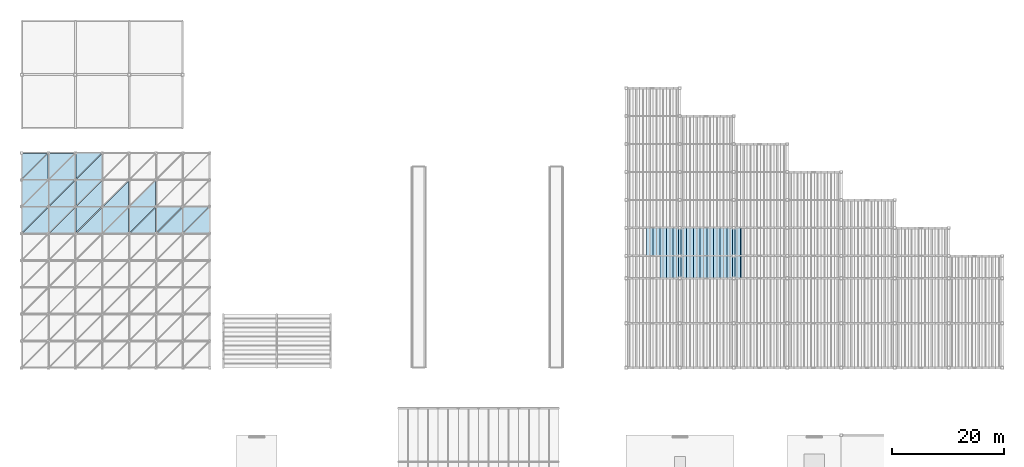
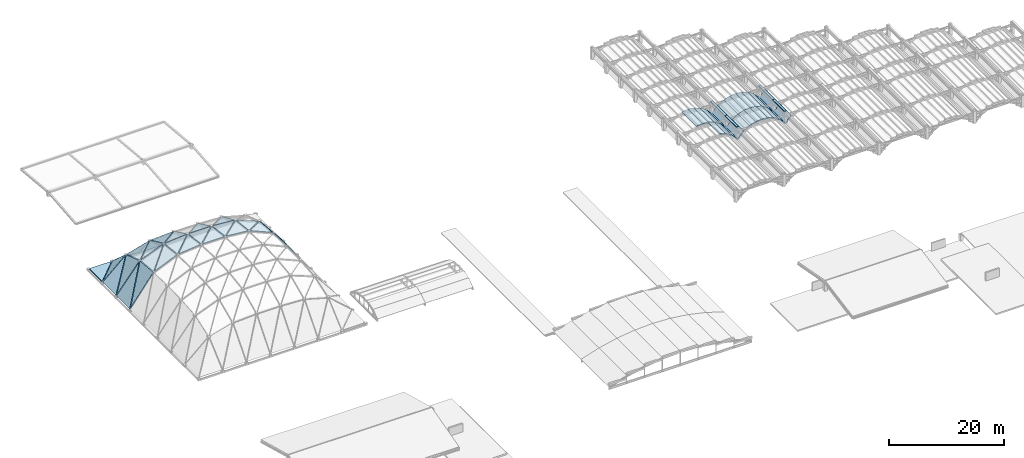
# One storey, part 33 of 70: 54 slabs, 4 plates.
"""IFC4 building model written with IfcOpenShell, lengths in metres."""

from ifc_helpers import new_model, si_unit, direction, frame, origin, origin_2d, place, context, subcontext, project, spatial, polyline, rectangle, outline, extrude, material, layer, layer_set, type_object, element, save


model = new_model("IFC4")

# Units and contexts
model_context = context("Model", 3, precision=1e-05, world=origin(), true_north=direction((0.0, 1.0)))
body_context = subcontext(model_context, "Body", "Model", "MODEL_VIEW")
ifc_project = project(units=[si_unit("LENGTHUNIT", "METRE"), si_unit("AREAUNIT", "SQUARE_METRE"), si_unit("VOLUMEUNIT", "CUBIC_METRE"), si_unit("PLANEANGLEUNIT", "RADIAN"), si_unit("MASSUNIT", "GRAM", prefix="KILO")], contexts=[model_context])

# Site, building, storey
site_placement = place(None, origin())
site = spatial("IfcSite", under=ifc_project, at=site_placement, CompositionType="ELEMENT")
building_placement = place(site_placement, origin())
building = spatial("IfcBuilding", under=site, at=building_placement, Name="Mavantir Sound Aquarium", CompositionType="ELEMENT")
storey_placement = place(building_placement, frame((0.0, 0.0, 27.0)))
storey = spatial("IfcBuildingStorey", under=building, at=storey_placement, Name="RF", CompositionType="ELEMENT", Elevation=27.0)

# Plates
ifc_material_1 = material(Name="Patinated Bronze-Copper Architectural Fascia", Category="metal")
ifc_layer_1 = layer(ifc_material_1, 0.179931640625, Name="Patinated Bronze-Copper Architectural Fascia")
ifc_layer_set_1 = layer_set([ifc_layer_1], Name="Patinated Bronze-Copper Architectural Fascia")
plate_type = type_object("IfcPlateType", Name="PLT-FASCIA-BZ", PredefinedType="SHEET", material=ifc_layer_set_1)
plate_1_placement = place(storey_placement, frame((117.60009765625, 58.800048828125, -4.52001953125), z_axis=(0.0, 0.0, 1.0), x_axis=(1.0, 0.0, 0.0)))
element("IfcPlate", 1, at=plate_1_placement, inside=storey, type_object=plate_type, Name="Scalloped roof bronze ridge fascia 12", PredefinedType="SHEET", context=body_context, shape_type="SweptSolid", body=[
    extrude(rectangle(XDim=0.419921875, YDim=4.0, at=origin_2d()), origin(), (0.0, 0.0, 1.0), 0.139892578125),
])
plate_2_placement = place(storey_placement, frame((117.60009765625, 63.300048828125, -4.52001953125), z_axis=(0.0, 0.0, 1.0), x_axis=(1.0, 0.0, 0.0)))
element("IfcPlate", 2, at=plate_2_placement, inside=storey, type_object=plate_type, Name="Scalloped roof bronze ridge fascia 13", PredefinedType="SHEET", context=body_context, shape_type="SweptSolid", body=[
    extrude(rectangle(XDim=0.419921875, YDim=5.0, at=origin_2d()), origin(), (0.0, 0.0, 1.0), 0.139892578125),
])
plate_3_placement = place(storey_placement, frame((127.199951171875, 58.800048828125, -4.52001953125), z_axis=(0.0, 0.0, 1.0), x_axis=(1.0, 0.0, 0.0)))
element("IfcPlate", 3, at=plate_3_placement, inside=storey, type_object=plate_type, Name="Scalloped roof bronze ridge fascia 21", PredefinedType="SHEET", context=body_context, shape_type="SweptSolid", body=[
    extrude(rectangle(XDim=0.419921875, YDim=4.0, at=origin_2d()), origin(), (0.0, 0.0, 1.0), 0.139892578125),
])
plate_4_placement = place(storey_placement, frame((127.199951171875, 63.300048828125, -4.52001953125), z_axis=(0.0, 0.0, 1.0), x_axis=(1.0, 0.0, 0.0)))
element("IfcPlate", 4, at=plate_4_placement, inside=storey, type_object=plate_type, Name="Scalloped roof bronze ridge fascia 22", PredefinedType="SHEET", context=body_context, shape_type="SweptSolid", body=[
    extrude(rectangle(XDim=0.419921875, YDim=5.0, at=origin_2d()), origin(), (0.0, 0.0, 1.0), 0.139892578125),
])

# Slabs
ifc_material_2 = material(Name="Concrete C40/50", Category="concrete")
ifc_layer_2 = layer(ifc_material_2, 0.199951171875, Name="Concrete C40/50")
ifc_layer_set_2 = layer_set([ifc_layer_2], Name="Concrete C40/50")
slab_type_1 = type_object("IfcSlabType", Name="SLB-RF-GS", PredefinedType="ROOF", material=ifc_layer_set_2)
slab_1_placement = place(storey_placement, frame((0.15966796875, 64.875, -6.7666015625), z_axis=(-0.794671205432, 0.053402891878, 0.60468653565), x_axis=(0.605550627648, 0.0, 0.795806783934)))
element("IfcSlab", 5, at=slab_1_placement, inside=storey, type_object=slab_type_1, Name="Gridshell insulated roof panel 11", PredefinedType="ROOF", context=body_context, shape_type="SweptSolid", body=[
    extrude(outline(polyline([(0.0, 0.0), (7.587683593596411, -2.7755575615628914e-17), (7.264775665154641, 4.601047898802051), (0.0, 0.0)])), origin(), (0.0, 0.0, -1.0), 0.199951171875),
])
slab_2_placement = place(storey_placement, frame((0.04736328125, 64.93603515625, -6.911865234375), z_axis=(-0.774888427975, 0.0, 0.632098033687), x_axis=(0.534306616361, 0.534306616361, 0.655006014801)))
element("IfcSlab", 6, at=slab_2_placement, inside=storey, type_object=slab_type_1, Name="Gridshell insulated roof panel 12", PredefinedType="ROOF", context=body_context, shape_type="SweptSolid", body=[
    extrude(outline(polyline([(0.0, 0.0), (8.588452860178567, 4.440892098500626e-16), (2.451862099884232, 3.878926953123176), (0.0, 0.0)])), origin(), (0.0, 0.0, -1.0), 0.199951171875),
])
slab_3_placement = place(storey_placement, frame((0.150634765625, 69.67333984375, -6.81005859375), z_axis=(-0.757775884364, 0.209028049141, 0.618128614245), x_axis=(0.632091744998, 0.0, 0.774893557791)))
element("IfcSlab", 7, at=slab_3_placement, inside=storey, type_object=slab_type_1, Name="Gridshell insulated roof panel 13", PredefinedType="ROOF", context=body_context, shape_type="SweptSolid", body=[
    extrude(outline(polyline([(0.0, 0.0), (7.2779653163965605, -1.1102230246251565e-16), (6.07249125627877, 4.704260580985309), (0.0, 0.0)])), origin(), (0.0, 0.0, -1.0), 0.199951171875),
])
slab_4_placement = place(storey_placement, frame((0.05615234375, 69.749755859375, -6.920166015625), z_axis=(-0.663900537319, 0.0, 0.747820885338), x_axis=(0.598882541436, 0.598882541436, 0.531676032117)))
element("IfcSlab", 8, at=slab_4_placement, inside=storey, type_object=slab_type_1, Name="Gridshell insulated roof panel 14", PredefinedType="ROOF", context=body_context, shape_type="SweptSolid", body=[
    extrude(outline(polyline([(0.0, 0.0), (7.639553661945924, 0.0), (2.7400045963143524, 3.6639851200159366), (0.0, 0.0)])), origin(), (0.0, 0.0, -1.0), 0.199951171875),
])
slab_5_placement = place(storey_placement, frame((0.128662109375, 74.46240234375, -6.911376953125), z_axis=(-0.553106138032, 0.553076840604, 0.623040615417), x_axis=(0.747830987646, 0.0, 0.663889157854)))
element("IfcSlab", 9, at=slab_5_placement, inside=storey, type_object=slab_type_1, Name="Gridshell insulated roof panel 15", PredefinedType="ROOF", context=body_context, shape_type="SweptSolid", body=[
    extrude(outline(polyline([(0.0, 0.0), (6.163005805971765, 0.0), (3.4466683068329176, 5.5323052742764105), (0.0, 0.0)])), origin(), (0.0, 0.0, -1.0), 0.199951171875),
])
slab_6_placement = place(storey_placement, frame((0.074951171875, 74.5810546875, -6.969970703125), z_axis=(0.0, 0.0, 1.0), x_axis=(0.707106781187, 0.707106781187, 0.0)))
element("IfcSlab", 10, at=slab_6_placement, inside=storey, type_object=slab_type_1, Name="Gridshell insulated roof panel 16", PredefinedType="ROOF", context=body_context, shape_type="SweptSolid", body=[
    extrude(outline(polyline([(0.0, 0.0), (6.426109087619152, 0.0), (3.213054543809576, 3.213054543809576), (0.0, 0.0)])), origin(), (0.0, 0.0, -1.0), 0.199951171875),
])
slab_7_placement = place(storey_placement, frame((4.9736328125, 64.87451171875, -0.59619140625), z_axis=(-0.392799095443, 0.113806632756, 0.912555160503), x_axis=(0.918522877912, 0.0, 0.395367832218)))
element("IfcSlab", 11, at=slab_7_placement, inside=storey, type_object=slab_type_1, Name="Gridshell insulated roof panel 27", PredefinedType="ROOF", context=body_context, shape_type="SweptSolid", body=[
    extrude(outline(polyline([(0.0, 0.0), (4.961632591271929, 0.0), (4.736921577257213, 4.587176302227068), (0.0, 0.0)])), origin(), (0.0, 0.0, -1.0), 0.199951171875),
])
slab_8_placement = place(storey_placement, frame((4.869873046875, 64.970458984375, -0.649169921875), z_axis=(-0.365407670212, 0.081908574607, 0.927236873704), x_axis=(0.691139188949, 0.691139188949, 0.211313139674)))
element("IfcSlab", 12, at=slab_8_placement, inside=storey, type_object=slab_type_1, Name="Gridshell insulated roof panel 28", PredefinedType="ROOF", context=body_context, shape_type="SweptSolid", body=[
    extrude(outline(polyline([(0.0, 0.0), (6.59011610516393, 1.6653345369377348e-16), (3.0629025036234436, 3.394950215999869), (0.0, 0.0)])), origin(), (0.0, 0.0, -1.0), 0.199951171875),
])
slab_9_placement = place(storey_placement, frame((4.960205078125, 69.669189453125, -1.0537109375), z_axis=(-0.338054809101, 0.386938727594, 0.857902889103), x_axis=(0.930373971, 0.0, 0.366611884811)))
element("IfcSlab", 13, at=slab_9_placement, inside=storey, type_object=slab_type_1, Name="Gridshell insulated roof panel 29", PredefinedType="ROOF", context=body_context, shape_type="SweptSolid", body=[
    extrude(outline(polyline([(0.0, 0.0), (4.9112895243475005, -1.1102230246251565e-16), (4.155779045907038, 4.955064416868645), (0.0, 0.0)])), origin(), (0.0, 0.0, -1.0), 0.199951171875),
])
slab_10_placement = place(storey_placement, frame((4.87255859375, 69.76953125, -1.12255859375), z_axis=(-0.257411584203, 0.309553819307, 0.915377358946), x_axis=(0.706514633447, 0.706552469608, -0.040257675252)))
element("IfcSlab", 14, at=slab_10_placement, inside=storey, type_object=slab_type_1, Name="Gridshell insulated roof panel 30", PredefinedType="ROOF", context=body_context, shape_type="SweptSolid", body=[
    extrude(outline(polyline([(0.0, 0.0), (6.452573909735282, -2.7755575615628914e-17), (3.2832978605160665, 3.518830937518898), (0.0, 0.0)])), origin(), (0.0, 0.0, -1.0), 0.199951171875),
])
slab_11_placement = place(storey_placement, frame((4.929931640625, 74.44970703125, -2.73046875), z_axis=(-0.179824644099, 0.747485973653, 0.639474641067), x_axis=(0.962661767908, 0.0, 0.270707075284)))
element("IfcSlab", 15, at=slab_11_placement, inside=storey, type_object=slab_type_1, Name="Gridshell insulated roof panel 31", PredefinedType="ROOF", context=body_context, shape_type="SweptSolid", body=[
    extrude(outline(polyline([(0.0, 0.0), (4.774461352339819, 1.1102230246251565e-16), (3.3200056380374883, 6.919449944483799), (0.0, 0.0)])), origin(), (0.0, 0.0, -1.0), 0.199951171875),
])
slab_12_placement = place(storey_placement, frame((4.875, 74.568603515625, -2.8583984375), z_axis=(0.0, 0.663900537319, 0.747820885338), x_axis=(0.598882541436, 0.598882541436, -0.531676032117)))
element("IfcSlab", 16, at=slab_12_placement, inside=storey, type_object=slab_type_1, Name="Gridshell insulated roof panel 32", PredefinedType="ROOF", context=body_context, shape_type="SweptSolid", body=[
    extrude(outline(polyline([(0.0, 0.0), (7.639553661945924, 0.0), (4.899549065631572, 3.6639851200159366), (0.0, 0.0)])), origin(), (0.0, 0.0, -1.0), 0.199951171875),
])
slab_13_placement = place(storey_placement, frame((9.77880859375, 64.874267578125, 1.411376953125), z_axis=(-0.096157543667, 0.139454448975, 0.985548671278), x_axis=(0.995274004049, 0.0, 0.097106420306)))
element("IfcSlab", 17, at=slab_13_placement, inside=storey, type_object=slab_type_1, Name="Gridshell insulated roof panel 43", PredefinedType="ROOF", context=body_context, shape_type="SweptSolid", body=[
    extrude(outline(polyline([(0.0, 0.0), (4.568220249779547, 0.0), (4.505750665427488, 4.59125017911003), (0.0, 0.0)])), origin(), (0.0, 0.0, -1.0), 0.199951171875),
])
slab_14_placement = place(storey_placement, frame((9.6748046875, 64.979736328125, 1.387939453125), z_axis=(-0.079896820937, 0.123298219013, 0.989148142187), x_axis=(0.706766689228, 0.706766689228, -0.031011191466)))
element("IfcSlab", 18, at=slab_14_placement, inside=storey, type_object=slab_type_1, Name="Gridshell insulated roof panel 44", PredefinedType="ROOF", context=body_context, shape_type="SweptSolid", body=[
    extrude(outline(polyline([(0.0, 0.0), (6.431964758366324, 3.469446951953614e-18), (3.2304620919954044, 3.2481379190916573), (0.0, 0.0)])), origin(), (0.0, 0.0, -1.0), 0.199951171875),
])
slab_15_placement = place(storey_placement, frame((9.766845703125, 69.667724609375, 0.786865234375), z_axis=(-0.072696223265, 0.430878078781, 0.899477259495), x_axis=(0.996749934792, 0.0, 0.080557851834)))
element("IfcSlab", 19, at=slab_15_placement, inside=storey, type_object=slab_type_1, Name="Gridshell insulated roof panel 45", PredefinedType="ROOF", context=body_context, shape_type="SweptSolid", body=[
    extrude(outline(polyline([(0.0, 0.0), (4.573212849345524, -2.7755575615628914e-17), (4.397307227566384, 5.051305775594541), (0.0, 0.0)])), origin(), (0.0, 0.0, -1.0), 0.199951171875),
])
slab_16_placement = place(storey_placement, frame((9.6748046875, 69.775146484375, 0.730712890625), z_axis=(-0.048056003268, 0.41064708579, 0.910527095414), x_axis=(0.680637577922, 0.680637577922, -0.271044230784)))
element("IfcSlab", 20, at=slab_16_placement, inside=storey, type_object=slab_type_1, Name="Gridshell insulated roof panel 46", PredefinedType="ROOF", context=body_context, shape_type="SweptSolid", body=[
    extrude(outline(polyline([(0.0, 0.0), (6.694306385912732, 2.220446049250313e-16), (3.6582320330232814, 3.4059993192936733), (0.0, 0.0)])), origin(), (0.0, 0.0, -1.0), 0.199951171875),
])
slab_17_placement = place(storey_placement, frame((9.734619140625, 74.447509765625, -1.409912109375), z_axis=(-0.033399232546, 0.773400978639, 0.633036663635), x_axis=(0.998611072066, 0.0, 0.052687064328)))
element("IfcSlab", 21, at=slab_17_placement, inside=storey, type_object=slab_type_1, Name="Gridshell insulated roof panel 47", PredefinedType="ROOF", context=body_context, shape_type="SweptSolid", body=[
    extrude(outline(polyline([(0.0, 0.0), (4.596716539256691, 0.0), (4.301239353057594, 7.241217853863612), (0.0, 0.0)])), origin(), (0.0, 0.0, -1.0), 0.199951171875),
])
slab_18_placement = place(storey_placement, frame((9.675048828125, 74.564453125, -1.55126953125), z_axis=(0.0, 0.759881491264, 0.650061627259), x_axis=(0.545004280687, 0.545033290336, -0.637109917094)))
element("IfcSlab", 22, at=slab_18_placement, inside=storey, type_object=slab_type_1, Name="Gridshell insulated roof panel 48", PredefinedType="ROOF", context=body_context, shape_type="SweptSolid", body=[
    extrude(outline(polyline([(0.0, 0.0), (8.415842011547314, 0.0), (5.91608727002919, 3.8456166221414323), (0.0, 0.0)])), origin(), (0.0, 0.0, -1.0), 0.199951171875),
])
slab_19_placement = place(storey_placement, frame((14.579833984375, 64.874267578125, 1.8623046875), z_axis=(0.0, 0.14008842024, 0.990138997573), x_axis=(1.0, 0.0, 0.0)))
element("IfcSlab", 23, at=slab_19_placement, inside=storey, type_object=slab_type_1, Name="Gridshell insulated roof panel 59", PredefinedType="ROOF", context=body_context, shape_type="SweptSolid", body=[
    extrude(outline(polyline([(0.0, 0.0), (4.545166015625, 0.0), (4.545166015625, 4.590432279474312), (0.0, 0.0)])), origin(), (0.0, 0.0, -1.0), 0.199951171875),
])
slab_20_placement = place(storey_placement, frame((14.47509765625, 64.98046875, 1.84716796875), z_axis=(0.0, 0.14008842024, 0.990138997573), x_axis=(0.703594478473, 0.703594478473, -0.099547072906)))
element("IfcSlab", 24, at=slab_20_placement, inside=storey, type_object=slab_type_1, Name="Gridshell insulated roof panel 60", PredefinedType="ROOF", context=body_context, shape_type="SweptSolid", body=[
    extrude(outline(polyline([(0.0, 0.0), (6.459922803101611, -2.0816681711721685e-16), (3.2619690907641146, 3.22980280564298), (0.0, 0.0)])), origin(), (0.0, 0.0, -1.0), 0.199951171875),
])
slab_21_placement = place(storey_placement, frame((14.568603515625, 69.667724609375, 1.161376953125), z_axis=(0.0, 0.432053861253, 0.901847803665), x_axis=(1.0, 0.0, 0.0)))
element("IfcSlab", 25, at=slab_21_placement, inside=storey, type_object=slab_type_1, Name="Gridshell insulated roof panel 61", PredefinedType="ROOF", context=body_context, shape_type="SweptSolid", body=[
    extrude(outline(polyline([(0.0, 0.0), (4.556396484375, 0.0), (4.556396484375, 5.052289827459278), (0.0, 0.0)])), origin(), (0.0, 0.0, -1.0), 0.199951171875),
])
slab_22_placement = place(storey_placement, frame((19.38037109375, 64.87451171875, 1.845703125), z_axis=(0.096350582351, 0.123150724146, 0.987699582071), x_axis=(0.995275642022, 0.0, -0.097089630743)))
element("IfcSlab", 26, at=slab_22_placement, inside=storey, type_object=slab_type_1, Name="Gridshell insulated roof panel 75", PredefinedType="ROOF", context=body_context, shape_type="SweptSolid", body=[
    extrude(outline(polyline([(0.0, 0.0), (4.5664956350853885, 0.0), (4.621511512271551, 4.579537272233603), (0.0, 0.0)])), origin(), (0.0, 0.0, -1.0), 0.199951171875),
])
slab_23_placement = place(storey_placement, frame((19.274658203125, 64.980712890625, 1.841064453125), z_axis=(0.07973557005, 0.139597761662, 0.986992757728), x_axis=(0.698554234082, 0.698516711698, -0.155230105087)))
element("IfcSlab", 27, at=slab_23_placement, inside=storey, type_object=slab_type_1, Name="Gridshell insulated roof panel 76", PredefinedType="ROOF", context=body_context, shape_type="SweptSolid", body=[
    extrude(outline(polyline([(0.0, 0.0), (6.5065327699246875, -7.840950111415168e-16), (3.2744892508921564, 3.2167150108190343), (0.0, 0.0)])), origin(), (0.0, 0.0, -1.0), 0.199951171875),
])
slab_24_placement = place(storey_placement, frame((19.371337890625, 69.66845703125, 1.14892578125), z_axis=(0.073448885107, 0.410010050935, 0.909118814792), x_axis=(0.996752273817, 0.0, -0.080528905626)))
element("IfcSlab", 28, at=slab_24_placement, inside=storey, type_object=slab_type_1, Name="Gridshell insulated roof panel 77", PredefinedType="ROOF", context=body_context, shape_type="SweptSolid", body=[
    extrude(outline(polyline([(0.0, 0.0), (4.568793267646609, 0.0), (4.7341763619156225, 4.992660648316113), (0.0, 0.0)])), origin(), (0.0, 0.0, -1.0), 0.199951171875),
])
slab_25_placement = place(storey_placement, frame((24.17822265625, 64.874755859375, 1.321044921875), z_axis=(0.394080762492, 0.080854143802, 0.915512403009), x_axis=(0.91851968791, 0.0, -0.395375243182)))
element("IfcSlab", 29, at=slab_25_placement, inside=storey, type_object=slab_type_1, Name="Gridshell insulated roof panel 91", PredefinedType="ROOF", context=body_context, shape_type="SweptSolid", body=[
    extrude(outline(polyline([(0.0, 0.0), (4.956599662395648, 0.0), (5.115579893235635, 4.567934187989625), (0.0, 0.0)])), origin(), (0.0, 0.0, -1.0), 0.199951171875),
])
slab_26_placement = place(storey_placement, frame((24.06982421875, 64.974365234375, 1.355224609375), z_axis=(0.36417508958, 0.115267152877, 0.92416989109), x_axis=(0.663866625562, 0.66383101422, -0.344397282255)))
element("IfcSlab", 30, at=slab_26_placement, inside=storey, type_object=slab_type_1, Name="Gridshell insulated roof panel 92", PredefinedType="ROOF", context=body_context, shape_type="SweptSolid", body=[
    extrude(outline(polyline([(0.0, 0.0), (6.855698653927997, 8.326672684688674e-16), (3.2166009807916005, 3.2691758280028202), (0.0, 0.0)])), origin(), (0.0, 0.0, -1.0), 0.199951171875),
])
slab_27_placement = place(storey_placement, frame((28.962646484375, 64.875, -0.87548828125), z_axis=(0.795812167841, 0.0, 0.605543552122), x_axis=(0.605543552122, 0.0, -0.795812167841)))
element("IfcSlab", 31, at=slab_27_placement, inside=storey, type_object=slab_type_1, Name="Gridshell insulated roof panel 107", PredefinedType="ROOF", context=body_context, shape_type="SweptSolid", body=[
    extrude(outline(polyline([(0.0, 0.0), (7.583337316581882, 0.0), (7.583337316581882, 4.591796875), (0.0, 0.0)])), origin(), (0.0, 0.0, -1.0), 0.199951171875),
])
slab_28_placement = place(storey_placement, frame((28.847412109375, 64.93896484375, -0.732177734375), z_axis=(0.773658921, 0.055773066521, 0.631142803974), x_axis=(0.517993122905, 0.517965549546, -0.680731087953)))
element("IfcSlab", 32, at=slab_28_placement, inside=storey, type_object=slab_type_1, Name="Gridshell insulated roof panel 108", PredefinedType="ROOF", context=body_context, shape_type="SweptSolid", body=[
    extrude(outline(polyline([(0.0, 0.0), (8.854221375614266, 0.0), (2.651366321833558, 3.7639826284662465), (0.0, 0.0)])), origin(), (0.0, 0.0, -1.0), 0.199951171875),
])
ifc_layer_3 = layer(ifc_material_2, 0.219970703125, Name="Concrete C40/50")
ifc_layer_set_3 = layer_set([ifc_layer_3], Name="Concrete C40/50")
slab_type_2 = type_object("IfcSlabType", Name="SLB-RF-SC", PredefinedType="ROOF", material=ifc_layer_set_3)
slab_29_placement = place(storey_placement, frame((114.0, 56.800048828125, -4.604248046875), z_axis=(0.309020441102, 0.0, 0.951055396379), x_axis=(0.951055396379, 0.0, -0.309020441102)))
element("IfcSlab", 33, at=slab_29_placement, inside=storey, type_object=slab_type_2, Name="Scalloped bay 1 sagging-arc roof panel 22", PredefinedType="ROOF", context=body_context, shape_type="SweptSolid", body=[
    extrude(outline(polyline([(0.0, 0.0), (1.2617048138772973, 0.0), (1.2617048138772973, 4.000000000000001), (0.0, 4.000000000000001), (0.0, 0.0)])), origin(), (0.0, 0.0, -1.0), 0.219970703125),
])
slab_30_placement = place(storey_placement, frame((115.199951171875, 56.800048828125, -4.994140625), z_axis=(0.515904776109, 0.0, 0.856645937356), x_axis=(0.856645937356, 0.0, -0.515904776109)))
element("IfcSlab", 34, at=slab_30_placement, inside=storey, type_object=slab_type_2, Name="Scalloped bay 1 sagging-arc roof panel 23", PredefinedType="ROOF", context=body_context, shape_type="SweptSolid", body=[
    extrude(outline(polyline([(0.0, 0.0), (1.4007551072718774, 0.0), (1.4007551072718774, 4.0), (0.0, 4.0), (0.0, 0.0)])), origin(), (0.0, 0.0, -1.0), 0.219970703125),
])
slab_31_placement = place(storey_placement, frame((116.39990234375, 56.800048828125, -5.716796875), z_axis=(0.724950456261, 0.0, 0.688801013332), x_axis=(0.688801013332, 0.0, -0.724950456261)))
element("IfcSlab", 35, at=slab_31_placement, inside=storey, type_object=slab_type_2, Name="Scalloped bay 1 sagging-arc roof panel 24", PredefinedType="ROOF", context=body_context, shape_type="SweptSolid", body=[
    extrude(outline(polyline([(0.0, 0.0), (1.7424412700765952, 0.0), (1.7424412700765952, 4.000000000000001), (0.0, 4.000000000000001), (0.0, 0.0)])), origin(), (0.0, 0.0, -1.0), 0.219970703125),
])
for number, where, z_axis, x_axis, name in (
    (36, (111.60009765625, 60.800048828125, -4.604248046875), (-0.103009624196, 0.0, 0.994680359373), (0.994680359373, 0.0, 0.103009624196), "Scalloped bay 1 sagging-arc roof panel 28"),
    (37, (112.800048828125, 60.800048828125, -4.47998046875), (0.103009624196, 0.0, 0.994680359373), (0.994680359373, 0.0, -0.103009624196), "Scalloped bay 1 sagging-arc roof panel 29"),
):
    element("IfcSlab", number, at=place(storey_placement, frame(where, z_axis=z_axis, x_axis=x_axis)), inside=storey, type_object=slab_type_2, Name=name, PredefinedType="ROOF", context=body_context, shape_type="SweptSolid", body=[
        extrude(outline(polyline([(0.0, 0.0), (1.206368619393442, 0.0), (1.206368619393442, 5.000000000000001), (0.0, 5.000000000000001), (0.0, 0.0)])), origin(), (0.0, 0.0, -1.0), 0.219970703125),
    ])
slab_32_placement = place(storey_placement, frame((114.0, 60.800048828125, -4.604248046875), z_axis=(0.309020441102, 0.0, 0.951055396379), x_axis=(0.951055396379, 0.0, -0.309020441102)))
element("IfcSlab", 38, at=slab_32_placement, inside=storey, type_object=slab_type_2, Name="Scalloped bay 1 sagging-arc roof panel 30", PredefinedType="ROOF", context=body_context, shape_type="SweptSolid", body=[
    extrude(outline(polyline([(0.0, 0.0), (1.2617048138772973, 0.0), (1.2617048138772973, 5.0), (0.0, 5.0), (0.0, 0.0)])), origin(), (0.0, 0.0, -1.0), 0.219970703125),
])
slab_33_placement = place(storey_placement, frame((115.199951171875, 60.800048828125, -4.994140625), z_axis=(0.515904776109, 0.0, 0.856645937356), x_axis=(0.856645937356, 0.0, -0.515904776109)))
element("IfcSlab", 39, at=slab_33_placement, inside=storey, type_object=slab_type_2, Name="Scalloped bay 1 sagging-arc roof panel 31", PredefinedType="ROOF", context=body_context, shape_type="SweptSolid", body=[
    extrude(outline(polyline([(0.0, 0.0), (1.4007551072718774, 0.0), (1.4007551072718774, 5.0), (0.0, 5.0), (0.0, 0.0)])), origin(), (0.0, 0.0, -1.0), 0.219970703125),
])
slab_34_placement = place(storey_placement, frame((116.39990234375, 60.800048828125, -5.716796875), z_axis=(0.724950456261, 0.0, 0.688801013332), x_axis=(0.688801013332, 0.0, -0.724950456261)))
element("IfcSlab", 40, at=slab_34_placement, inside=storey, type_object=slab_type_2, Name="Scalloped bay 1 sagging-arc roof panel 32", PredefinedType="ROOF", context=body_context, shape_type="SweptSolid", body=[
    extrude(outline(polyline([(0.0, 0.0), (1.7424412700765952, 0.0), (1.7424412700765952, 5.0), (0.0, 5.0), (0.0, 0.0)])), origin(), (0.0, 0.0, -1.0), 0.219970703125),
])
slab_35_placement = place(storey_placement, frame((117.60009765625, 56.800048828125, -6.97998046875), z_axis=(-0.725020424784, 0.0, 0.688727365252), x_axis=(0.688727365252, 0.0, 0.725020424784)))
element("IfcSlab", 41, at=slab_35_placement, inside=storey, type_object=slab_type_2, Name="Scalloped bay 2 sagging-arc roof panel 89", PredefinedType="ROOF", context=body_context, shape_type="SweptSolid", body=[
    extrude(outline(polyline([(0.0, 0.0), (1.74227311475651, 0.0), (1.74227311475651, 4.0), (0.0, 4.0), (0.0, 0.0)])), origin(), (0.0, 0.0, -1.0), 0.219970703125),
])
slab_36_placement = place(storey_placement, frame((118.800048828125, 56.800048828125, -5.716796875), z_axis=(-0.515904776109, 0.0, 0.856645937356), x_axis=(0.856645937356, 0.0, 0.515904776109)))
element("IfcSlab", 42, at=slab_36_placement, inside=storey, type_object=slab_type_2, Name="Scalloped bay 2 sagging-arc roof panel 90", PredefinedType="ROOF", context=body_context, shape_type="SweptSolid", body=[
    extrude(outline(polyline([(0.0, 0.0), (1.4007551072718774, 0.0), (1.4007551072718774, 4.0), (0.0, 4.0), (0.0, 0.0)])), origin(), (0.0, 0.0, -1.0), 0.219970703125),
])
slab_37_placement = place(storey_placement, frame((120.0, 56.800048828125, -4.994140625), z_axis=(-0.309020441102, 0.0, 0.951055396379), x_axis=(0.951055396379, 0.0, 0.309020441102)))
element("IfcSlab", 43, at=slab_37_placement, inside=storey, type_object=slab_type_2, Name="Scalloped bay 2 sagging-arc roof panel 91", PredefinedType="ROOF", context=body_context, shape_type="SweptSolid", body=[
    extrude(outline(polyline([(0.0, 0.0), (1.2617048138772973, 0.0), (1.2617048138772973, 4.000000000000001), (0.0, 4.000000000000001), (0.0, 0.0)])), origin(), (0.0, 0.0, -1.0), 0.219970703125),
])
slab_38_placement = place(storey_placement, frame((121.199951171875, 56.800048828125, -4.604248046875), z_axis=(-0.103009624196, 0.0, 0.994680359373), x_axis=(0.994680359373, 0.0, 0.103009624196)))
element("IfcSlab", 44, at=slab_38_placement, inside=storey, type_object=slab_type_2, Name="Scalloped bay 2 sagging-arc roof panel 92", PredefinedType="ROOF", context=body_context, shape_type="SweptSolid", body=[
    extrude(outline(polyline([(0.0, 0.0), (1.206368619393442, 0.0), (1.206368619393442, 4.000000000000001), (0.0, 4.000000000000001), (0.0, 0.0)])), origin(), (0.0, 0.0, -1.0), 0.219970703125),
])
slab_39_placement = place(storey_placement, frame((122.39990234375, 56.800048828125, -4.47998046875), z_axis=(0.102988892519, 0.0, 0.994682506138), x_axis=(0.994682506138, 0.0, -0.102988892519)))
element("IfcSlab", 45, at=slab_39_placement, inside=storey, type_object=slab_type_2, Name="Scalloped bay 2 sagging-arc roof panel 93", PredefinedType="ROOF", context=body_context, shape_type="SweptSolid", body=[
    extrude(outline(polyline([(0.0, 0.0), (1.206611461540137, 0.0), (1.206611461540137, 4.0), (0.0, 4.0), (0.0, 0.0)])), origin(), (0.0, 0.0, -1.0), 0.219970703125),
])
slab_40_placement = place(storey_placement, frame((123.60009765625, 56.800048828125, -4.604248046875), z_axis=(0.309020441102, 0.0, 0.951055396379), x_axis=(0.951055396379, 0.0, -0.309020441102)))
element("IfcSlab", 46, at=slab_40_placement, inside=storey, type_object=slab_type_2, Name="Scalloped bay 2 sagging-arc roof panel 94", PredefinedType="ROOF", context=body_context, shape_type="SweptSolid", body=[
    extrude(outline(polyline([(0.0, 0.0), (1.2617048138772973, 0.0), (1.2617048138772973, 4.000000000000001), (0.0, 4.000000000000001), (0.0, 0.0)])), origin(), (0.0, 0.0, -1.0), 0.219970703125),
])
slab_41_placement = place(storey_placement, frame((124.800048828125, 56.800048828125, -4.994140625), z_axis=(0.515904776109, 0.0, 0.856645937356), x_axis=(0.856645937356, 0.0, -0.515904776109)))
element("IfcSlab", 47, at=slab_41_placement, inside=storey, type_object=slab_type_2, Name="Scalloped bay 2 sagging-arc roof panel 95", PredefinedType="ROOF", context=body_context, shape_type="SweptSolid", body=[
    extrude(outline(polyline([(0.0, 0.0), (1.4007551072718774, 0.0), (1.4007551072718774, 4.0), (0.0, 4.0), (0.0, 0.0)])), origin(), (0.0, 0.0, -1.0), 0.219970703125),
])
slab_42_placement = place(storey_placement, frame((126.0, 56.800048828125, -5.716796875), z_axis=(0.725020424784, 0.0, 0.688727365252), x_axis=(0.688727365252, 0.0, -0.725020424784)))
element("IfcSlab", 48, at=slab_42_placement, inside=storey, type_object=slab_type_2, Name="Scalloped bay 2 sagging-arc roof panel 96", PredefinedType="ROOF", context=body_context, shape_type="SweptSolid", body=[
    extrude(outline(polyline([(0.0, 0.0), (1.74227311475651, 0.0), (1.74227311475651, 4.0), (0.0, 4.0), (0.0, 0.0)])), origin(), (0.0, 0.0, -1.0), 0.219970703125),
])
slab_43_placement = place(storey_placement, frame((117.60009765625, 60.800048828125, -6.97998046875), z_axis=(-0.725020424784, 0.0, 0.688727365252), x_axis=(0.688727365252, 0.0, 0.725020424784)))
element("IfcSlab", 49, at=slab_43_placement, inside=storey, type_object=slab_type_2, Name="Scalloped bay 2 sagging-arc roof panel 97", PredefinedType="ROOF", context=body_context, shape_type="SweptSolid", body=[
    extrude(outline(polyline([(0.0, 0.0), (1.74227311475651, 0.0), (1.74227311475651, 5.0), (0.0, 5.0), (0.0, 0.0)])), origin(), (0.0, 0.0, -1.0), 0.219970703125),
])
slab_44_placement = place(storey_placement, frame((118.800048828125, 60.800048828125, -5.716796875), z_axis=(-0.515904776109, 0.0, 0.856645937356), x_axis=(0.856645937356, 0.0, 0.515904776109)))
element("IfcSlab", 50, at=slab_44_placement, inside=storey, type_object=slab_type_2, Name="Scalloped bay 2 sagging-arc roof panel 98", PredefinedType="ROOF", context=body_context, shape_type="SweptSolid", body=[
    extrude(outline(polyline([(0.0, 0.0), (1.4007551072718774, 0.0), (1.4007551072718774, 5.0), (0.0, 5.0), (0.0, 0.0)])), origin(), (0.0, 0.0, -1.0), 0.219970703125),
])
slab_45_placement = place(storey_placement, frame((120.0, 60.800048828125, -4.994140625), z_axis=(-0.309020441102, 0.0, 0.951055396379), x_axis=(0.951055396379, 0.0, 0.309020441102)))
element("IfcSlab", 51, at=slab_45_placement, inside=storey, type_object=slab_type_2, Name="Scalloped bay 2 sagging-arc roof panel 99", PredefinedType="ROOF", context=body_context, shape_type="SweptSolid", body=[
    extrude(outline(polyline([(0.0, 0.0), (1.2617048138772973, 0.0), (1.2617048138772973, 5.0), (0.0, 5.0), (0.0, 0.0)])), origin(), (0.0, 0.0, -1.0), 0.219970703125),
])
slab_46_placement = place(storey_placement, frame((121.199951171875, 60.800048828125, -4.604248046875), z_axis=(-0.103009624196, 0.0, 0.994680359373), x_axis=(0.994680359373, 0.0, 0.103009624196)))
element("IfcSlab", 52, at=slab_46_placement, inside=storey, type_object=slab_type_2, Name="Scalloped bay 2 sagging-arc roof panel 100", PredefinedType="ROOF", context=body_context, shape_type="SweptSolid", body=[
    extrude(outline(polyline([(0.0, 0.0), (1.206368619393442, 0.0), (1.206368619393442, 5.000000000000001), (0.0, 5.000000000000001), (0.0, 0.0)])), origin(), (0.0, 0.0, -1.0), 0.219970703125),
])
slab_47_placement = place(storey_placement, frame((122.39990234375, 60.800048828125, -4.47998046875), z_axis=(0.102988892519, 0.0, 0.994682506138), x_axis=(0.994682506138, 0.0, -0.102988892519)))
element("IfcSlab", 53, at=slab_47_placement, inside=storey, type_object=slab_type_2, Name="Scalloped bay 2 sagging-arc roof panel 101", PredefinedType="ROOF", context=body_context, shape_type="SweptSolid", body=[
    extrude(outline(polyline([(0.0, 0.0), (1.206611461540137, 0.0), (1.206611461540137, 5.000000000000001), (0.0, 5.000000000000001), (0.0, 0.0)])), origin(), (0.0, 0.0, -1.0), 0.219970703125),
])
slab_48_placement = place(storey_placement, frame((123.60009765625, 60.800048828125, -4.604248046875), z_axis=(0.309020441102, 0.0, 0.951055396379), x_axis=(0.951055396379, 0.0, -0.309020441102)))
element("IfcSlab", 54, at=slab_48_placement, inside=storey, type_object=slab_type_2, Name="Scalloped bay 2 sagging-arc roof panel 102", PredefinedType="ROOF", context=body_context, shape_type="SweptSolid", body=[
    extrude(outline(polyline([(0.0, 0.0), (1.2617048138772973, 0.0), (1.2617048138772973, 5.0), (0.0, 5.0), (0.0, 0.0)])), origin(), (0.0, 0.0, -1.0), 0.219970703125),
])
slab_49_placement = place(storey_placement, frame((124.800048828125, 60.800048828125, -4.994140625), z_axis=(0.515904776109, 0.0, 0.856645937356), x_axis=(0.856645937356, 0.0, -0.515904776109)))
element("IfcSlab", 55, at=slab_49_placement, inside=storey, type_object=slab_type_2, Name="Scalloped bay 2 sagging-arc roof panel 103", PredefinedType="ROOF", context=body_context, shape_type="SweptSolid", body=[
    extrude(outline(polyline([(0.0, 0.0), (1.4007551072718774, 0.0), (1.4007551072718774, 5.0), (0.0, 5.0), (0.0, 0.0)])), origin(), (0.0, 0.0, -1.0), 0.219970703125),
])
slab_50_placement = place(storey_placement, frame((126.0, 60.800048828125, -5.716796875), z_axis=(0.725020424784, 0.0, 0.688727365252), x_axis=(0.688727365252, 0.0, -0.725020424784)))
element("IfcSlab", 56, at=slab_50_placement, inside=storey, type_object=slab_type_2, Name="Scalloped bay 2 sagging-arc roof panel 104", PredefinedType="ROOF", context=body_context, shape_type="SweptSolid", body=[
    extrude(outline(polyline([(0.0, 0.0), (1.74227311475651, 0.0), (1.74227311475651, 5.0), (0.0, 5.0), (0.0, 0.0)])), origin(), (0.0, 0.0, -1.0), 0.219970703125),
])
slab_51_placement = place(storey_placement, frame((127.199951171875, 56.800048828125, -6.97998046875), z_axis=(-0.725020424784, 0.0, 0.688727365252), x_axis=(0.688727365252, 0.0, 0.725020424784)))
element("IfcSlab", 57, at=slab_51_placement, inside=storey, type_object=slab_type_2, Name="Scalloped bay 3 sagging-arc roof panel 153", PredefinedType="ROOF", context=body_context, shape_type="SweptSolid", body=[
    extrude(outline(polyline([(0.0, 0.0), (1.74227311475651, 0.0), (1.74227311475651, 4.0), (0.0, 4.0), (0.0, 0.0)])), origin(), (0.0, 0.0, -1.0), 0.219970703125),
])
slab_52_placement = place(storey_placement, frame((127.199951171875, 60.800048828125, -6.97998046875), z_axis=(-0.725020424784, 0.0, 0.688727365252), x_axis=(0.688727365252, 0.0, 0.725020424784)))
element("IfcSlab", 58, at=slab_52_placement, inside=storey, type_object=slab_type_2, Name="Scalloped bay 3 sagging-arc roof panel 161", PredefinedType="ROOF", context=body_context, shape_type="SweptSolid", body=[
    extrude(outline(polyline([(0.0, 0.0), (1.74227311475651, 0.0), (1.74227311475651, 5.0), (0.0, 5.0), (0.0, 0.0)])), origin(), (0.0, 0.0, -1.0), 0.219970703125),
])

save(model, "model.ifc")
